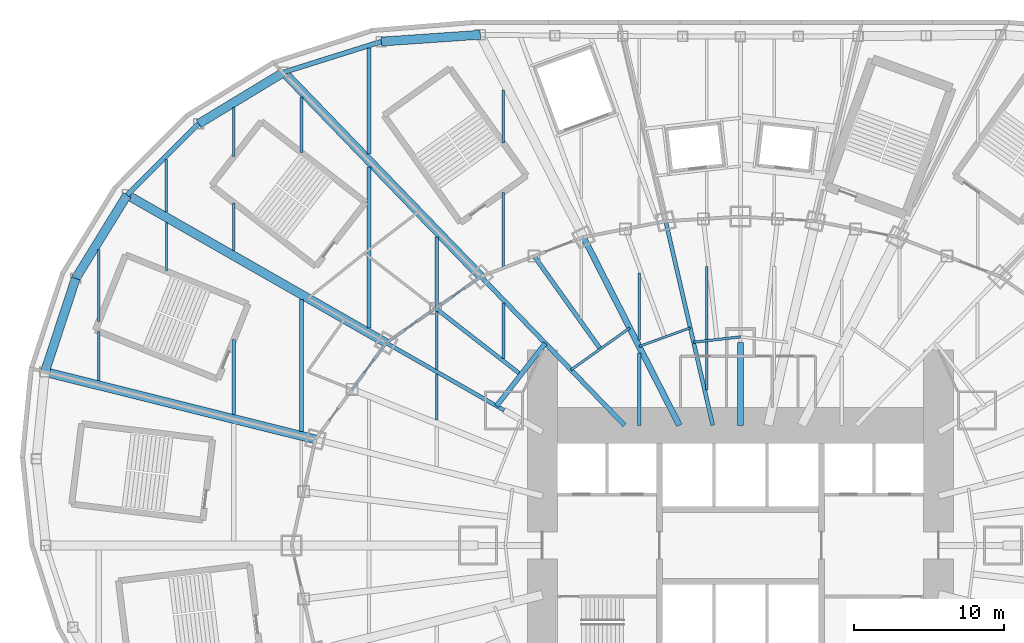
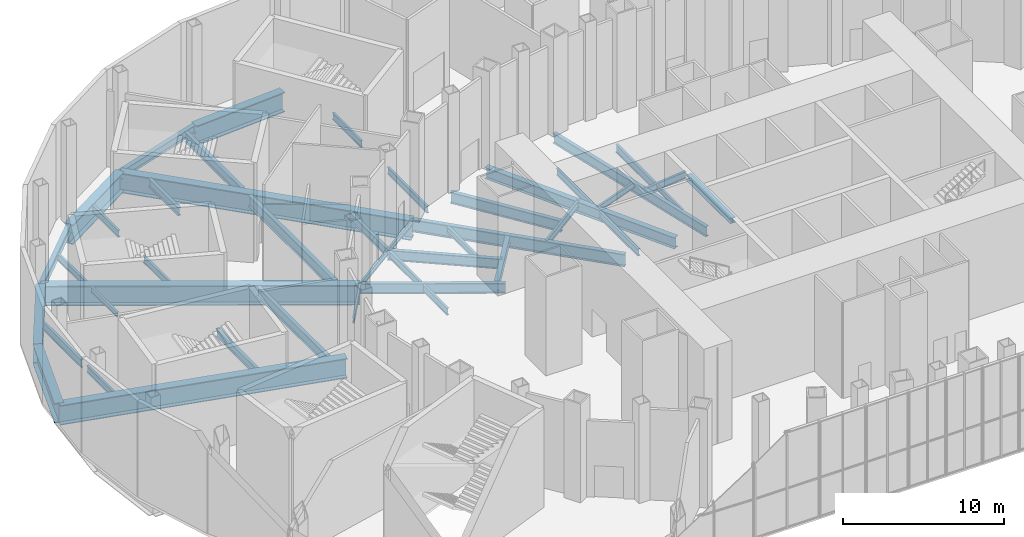
# One storey, part 6 of 73: 44 beams.
"""IFC4 building model written with IfcOpenShell, lengths in metres."""

from ifc_helpers import new_model, si_unit, direction, frame, origin, origin_2d, place, context, subcontext, project, spatial, i_section, extrude, material, material_profile, profile_set, type_object, element, save


model = new_model("IFC4")

# Units and contexts
model_context = context("Model", 3, precision=1e-05, world=origin(), true_north=direction((0.0, 1.0)))
body_context = subcontext(model_context, "Body", "Model", "MODEL_VIEW")
ifc_project = project(units=[si_unit("LENGTHUNIT", "METRE"), si_unit("AREAUNIT", "SQUARE_METRE"), si_unit("VOLUMEUNIT", "CUBIC_METRE"), si_unit("PLANEANGLEUNIT", "RADIAN"), si_unit("MASSUNIT", "GRAM", prefix="KILO")], contexts=[model_context])

# Site, building, storey
site_placement = place(None, origin())
site = spatial("IfcSite", under=ifc_project, at=site_placement, CompositionType="ELEMENT")
building_placement = place(site_placement, origin())
building = spatial("IfcBuilding", under=site, at=building_placement, Name="Lantaw Convention Tower", CompositionType="ELEMENT")
storey_placement = place(building_placement, frame((0.0, 0.0, 14.5)))
storey = spatial("IfcBuildingStorey", under=building, at=storey_placement, Name="L02", CompositionType="ELEMENT", Elevation=14.5)

# Beams
ifc_material_1 = material(Name="Steel ASTM A572 Grade 50", Category="steel")
ifc_material_profile_1 = material_profile(ifc_material_1, i_section(OverallWidth=0.60009765625, OverallDepth=1.5, WebThickness=0.02490234375, FlangeThickness=0.06005859375, at=origin_2d()), Name="PG1500X600X25X60")
ifc_profile_set_1 = profile_set([ifc_material_profile_1], Name="Steel ASTM A572 Grade 50")
beam_type_1 = type_object("IfcBeamType", Name="Beam E PG1500X600X25X60", PredefinedType="SPANDREL", material=ifc_profile_set_1)
beam_1_placement = place(storey_placement, frame((-17.333984375, 34.019775390625, -0.949951171875), z_axis=(-0.997615470709, -0.069017190627, 0.0), x_axis=(0.069017190627, -0.997615470709, 0.0)))
element("IfcBeam", 1, at=beam_1_placement, inside=storey, type_object=beam_type_1, Name="Podium edge beam R08", PredefinedType="SPANDREL", context=body_context, shape_type="SweptSolid", body=[
    extrude(i_section(OverallWidth=0.60009765625, OverallDepth=1.5, WebThickness=0.02490234375, FlangeThickness=0.06005859375, at=origin_2d()), origin(), (0.0, 0.0, 1.0), 6.6220703125),
])
beam_2_placement = place(storey_placement, frame((-30.43603515625, 31.517578125, -0.949951171875), z_axis=(-0.855269526547, -0.518183400893, 0.0), x_axis=(0.518183400893, -0.855269526547, 0.0)))
element("IfcBeam", 2, at=beam_2_placement, inside=storey, type_object=beam_type_1, Name="Podium edge beam R09", PredefinedType="SPANDREL", context=body_context, shape_type="SweptSolid", body=[
    extrude(i_section(OverallWidth=0.60009765625, OverallDepth=1.5, WebThickness=0.02490234375, FlangeThickness=0.06005859375, at=origin_2d()), origin(), (0.0, 0.0, 1.0), 6.63134765625),
])
beam_3_placement = place(storey_placement, frame((-40.864013671875, 23.350830078125, -0.949951171875), z_axis=(-0.524178644867, -0.851608330317, 0.0), x_axis=(0.851608330317, -0.524178644867, 0.0)))
element("IfcBeam", 3, at=beam_3_placement, inside=storey, type_object=beam_type_1, Name="Podium edge beam R10", PredefinedType="SPANDREL", context=body_context, shape_type="SweptSolid", body=[
    extrude(i_section(OverallWidth=0.60009765625, OverallDepth=1.5, WebThickness=0.02490234375, FlangeThickness=0.06005859375, at=origin_2d()), origin(), (0.0, 0.0, 1.0), 6.54052734375),
])
beam_4_placement = place(storey_placement, frame((-44.29248046875, 17.78076171875, -0.949951171875), z_axis=(-0.312739573604, -0.949838912186, 0.0), x_axis=(0.949838912186, -0.312739573604, 0.0)))
element("IfcBeam", 4, at=beam_4_placement, inside=storey, type_object=beam_type_1, Name="Podium edge beam B10", PredefinedType="SPANDREL", context=body_context, shape_type="SweptSolid", body=[
    extrude(i_section(OverallWidth=0.60009765625, OverallDepth=1.5, WebThickness=0.02490234375, FlangeThickness=0.06005859375, at=origin_2d()), origin(), (0.0, 0.0, 1.0), 6.55517578125),
])
ifc_material_2 = material(Name="Steel ASTM A992", Category="steel")
ifc_material_profile_2 = material_profile(ifc_material_2, i_section(OverallWidth=0.140380859375, OverallDepth=0.40380859375, WebThickness=0.007080078125, FlangeThickness=0.01123046875, FilletRadius=0.01025390625, at=origin_2d()), Name="W16X31")
ifc_profile_set_2 = profile_set([ifc_material_profile_2], Name="Steel ASTM A992")
beam_type_2 = type_object("IfcBeamType", Name="Beam E W16X31", PredefinedType="SPANDREL", material=ifc_profile_set_2)
beam_5_placement = place(storey_placement, frame((-17.290771484375, 17.9052734375, -0.40185546875), z_axis=(-0.819409395821, -0.573208724672, 0.0), x_axis=(0.573208724672, -0.819409395821, 0.0)))
element("IfcBeam", 5, at=beam_5_placement, inside=storey, type_object=beam_type_2, Name="Edge beam 10", PredefinedType="SPANDREL", context=body_context, shape_type="SweptSolid", body=[
    extrude(i_section(OverallWidth=0.140380859375, OverallDepth=0.40380859375, WebThickness=0.007080078125, FlangeThickness=0.01123046875, FilletRadius=0.01025390625, at=origin_2d()), origin(), (0.0, 0.0, 1.0), 3.682861328125),
])
beam_6_placement = place(storey_placement, frame((-20.30859375, 15.794189453125, -0.40185546875), z_axis=(-0.819442856133, -0.573160889744, 0.0), x_axis=(0.573160889744, -0.819442856133, 0.0)))
element("IfcBeam", 6, at=beam_6_placement, inside=storey, type_object=beam_type_2, Name="Edge beam 10", PredefinedType="SPANDREL", context=body_context, shape_type="SweptSolid", body=[
    extrude(i_section(OverallWidth=0.140380859375, OverallDepth=0.40380859375, WebThickness=0.007080078125, FlangeThickness=0.01123046875, FilletRadius=0.01025390625, at=origin_2d()), origin(), (0.0, 0.0, 1.0), 4.022705078125),
])
beam_7_placement = place(storey_placement, frame((-23.60498046875, 13.488525390625, -0.40185546875), z_axis=(-0.591286566758, -0.806461527893, 0.0), x_axis=(0.806461527893, -0.591286566758, 0.0)))
element("IfcBeam", 7, at=beam_7_placement, inside=storey, type_object=beam_type_2, Name="Edge beam 11", PredefinedType="SPANDREL", context=body_context, shape_type="SweptSolid", body=[
    extrude(i_section(OverallWidth=0.140380859375, OverallDepth=0.40380859375, WebThickness=0.007080078125, FlangeThickness=0.01123046875, FilletRadius=0.01025390625, at=origin_2d()), origin(), (0.0, 0.0, 1.0), 3.843994140625),
])
ifc_material_profile_3 = material_profile(ifc_material_2, i_section(OverallWidth=0.3251953125, OverallDepth=0.612060546875, WebThickness=0.0126953125, FlangeThickness=0.01904296875, FilletRadius=0.0126953125, at=origin_2d()), Name="W24X104")
ifc_profile_set_3 = profile_set([ifc_material_profile_3], Name="Steel ASTM A992")
beam_type_3 = type_object("IfcBeamType", Name="Beam E W24X104", PredefinedType="SPANDREL", material=ifc_profile_set_3)
beam_8_placement = place(storey_placement, frame((-23.940185546875, 33.562744140625, -0.506103515625), z_axis=(-0.953841834513, -0.300309431643, 0.0), x_axis=(0.300309431643, -0.953841834513, 0.0)))
element("IfcBeam", 8, at=beam_8_placement, inside=storey, type_object=beam_type_3, Name="Podium edge beam B08", PredefinedType="SPANDREL", context=body_context, shape_type="SweptSolid", body=[
    extrude(i_section(OverallWidth=0.3251953125, OverallDepth=0.612060546875, WebThickness=0.0126953125, FlangeThickness=0.01904296875, FilletRadius=0.0126953125, at=origin_2d()), origin(), (0.0, 0.0, 1.0), 6.810302734375),
])
beam_9_placement = place(storey_placement, frame((-36.107666015625, 28.081298828125, -0.506103515625), z_axis=(-0.709033046271, -0.705175254314, 0.0), x_axis=(0.705175254314, -0.709033046271, 0.0)))
element("IfcBeam", 9, at=beam_9_placement, inside=storey, type_object=beam_type_3, Name="Podium edge beam B09", PredefinedType="SPANDREL", context=body_context, shape_type="SweptSolid", body=[
    extrude(i_section(OverallWidth=0.3251953125, OverallDepth=0.612060546875, WebThickness=0.0126953125, FlangeThickness=0.01904296875, FilletRadius=0.0126953125, at=origin_2d()), origin(), (0.0, 0.0, 1.0), 6.708251953125),
])
ifc_material_profile_4 = material_profile(ifc_material_2, i_section(OverallWidth=0.2666015625, OverallDepth=0.76953125, WebThickness=0.015625, FlangeThickness=0.025390625, FilletRadius=0.0126953125, at=origin_2d()), Name="W30X132")
ifc_profile_set_4 = profile_set([ifc_material_profile_4], Name="Steel ASTM A992")
beam_type_4 = type_object("IfcBeamType", Name="Beam G W30X132", PredefinedType="BEAM", material=ifc_profile_set_4)
beam_10_placement = place(storey_placement, frame((-1.846923828125, 8.0, -0.584716796875), z_axis=(-0.224952773175, 0.97436966796, 0.0), x_axis=(-0.97436966796, -0.224952773175, 0.0)))
element("IfcBeam", 10, at=beam_10_placement, inside=storey, type_object=beam_type_4, Name="Floor girder on ray 8", PredefinedType="BEAM", context=body_context, shape_type="SweptSolid", body=[
    extrude(i_section(OverallWidth=0.2666015625, OverallDepth=0.76953125, WebThickness=0.015625, FlangeThickness=0.025390625, FilletRadius=0.0126953125, at=origin_2d()), origin(), (0.0, 0.0, 1.0), 13.955810546875),
])
beam_11_placement = place(storey_placement, frame((-14.628173828125, 11.37646484375, -0.584716796875), z_axis=(-0.789377792374, 0.613907729961, 0.0), x_axis=(-0.613907729961, -0.789377792374, 0.0)))
element("IfcBeam", 11, at=beam_11_placement, inside=storey, type_object=beam_type_4, Name="Floor girder on bisector 10", PredefinedType="BEAM", context=body_context, shape_type="SweptSolid", body=[
    extrude(i_section(OverallWidth=0.2666015625, OverallDepth=0.76953125, WebThickness=0.015625, FlangeThickness=0.025390625, FilletRadius=0.0126953125, at=origin_2d()), origin(), (0.0, 0.0, 1.0), 7.196044921875),
])
beam_12_placement = place(storey_placement, frame((-15.75, 9.0, -0.584716796875), z_axis=(-0.868244802791, 0.496136032179, 0.0), x_axis=(-0.496136032179, -0.868244802791, 0.0)))
element("IfcBeam", 12, at=beam_12_placement, inside=storey, type_object=beam_type_4, Name="Floor girder on ray 11", PredefinedType="BEAM", context=body_context, shape_type="SweptSolid", body=[
    extrude(i_section(OverallWidth=0.2666015625, OverallDepth=0.76953125, WebThickness=0.015625, FlangeThickness=0.025390625, FilletRadius=0.0126953125, at=origin_2d()), origin(), (0.0, 0.0, 1.0), 9.046875),
])
ifc_material_profile_5 = material_profile(ifc_material_2, i_section(OverallWidth=0.2919921875, OverallDepth=0.845703125, WebThickness=0.015380859375, FlangeThickness=0.0244140625, FilletRadius=0.01513671875, at=origin_2d()), Name="W33X141")
ifc_profile_set_5 = profile_set([ifc_material_profile_5], Name="Steel ASTM A992")
beam_type_5 = type_object("IfcBeamType", Name="Beam G W33X141", PredefinedType="BEAM", material=ifc_profile_set_5)
beam_13_placement = place(storey_placement, frame((-9.335693359375, 13.088134765625, -0.622802734375), z_axis=(-0.580702805158, 0.814115625745, 0.0), x_axis=(-0.814115625745, -0.580702805158, 0.0)))
element("IfcBeam", 13, at=beam_13_placement, inside=storey, type_object=beam_type_5, Name="Floor girder on bisector 9", PredefinedType="BEAM", context=body_context, shape_type="SweptSolid", body=[
    extrude(i_section(OverallWidth=0.2919921875, OverallDepth=0.845703125, WebThickness=0.015380859375, FlangeThickness=0.0244140625, FilletRadius=0.01513671875, at=origin_2d()), origin(), (0.0, 0.0, 1.0), 7.59375),
])
ifc_material_profile_6 = material_profile(ifc_material_2, i_section(OverallWidth=0.398681640625, OverallDepth=0.85595703125, WebThickness=0.01806640625, FlangeThickness=0.029296875, FilletRadius=0.016357421875, at=origin_2d()), Name="W33X201")
ifc_profile_set_6 = profile_set([ifc_material_profile_6], Name="Steel ASTM A992")
beam_type_6 = type_object("IfcBeamType", Name="Beam G W33X201", PredefinedType="BEAM", material=ifc_profile_set_6)
beam_14_placement = place(storey_placement, frame((-4.076171875, 8.0, -0.6279296875), z_axis=(-0.453997016122, 0.891003203896, 0.0), x_axis=(-0.891003203896, -0.453997016122, 0.0)))
element("IfcBeam", 14, at=beam_14_placement, inside=storey, type_object=beam_type_6, Name="Floor girder on ray 9", PredefinedType="BEAM", context=body_context, shape_type="SweptSolid", body=[
    extrude(i_section(OverallWidth=0.398681640625, OverallDepth=0.85595703125, WebThickness=0.01806640625, FlangeThickness=0.029296875, FilletRadius=0.016357421875, at=origin_2d()), origin(), (0.0, 0.0, 1.0), 14.067138671875),
])
ifc_material_profile_7 = material_profile(ifc_material_2, i_section(OverallWidth=0.307373046875, OverallDepth=0.9423828125, WebThickness=0.022216796875, FlangeThickness=0.039794921875, FilletRadius=0.0126953125, at=origin_2d()), Name="W36X232")
ifc_profile_set_7 = profile_set([ifc_material_profile_7], Name="Steel ASTM A992")
beam_type_7 = type_object("IfcBeamType", Name="Beam G W36X232", PredefinedType="BEAM", material=ifc_profile_set_7)
beam_15_placement = place(storey_placement, frame((-7.7255859375, 8.0, -0.671142578125), z_axis=(-0.694649884291, 0.719347995239, 0.0), x_axis=(-0.719347995239, -0.694649884291, 0.0)))
element("IfcBeam", 15, at=beam_15_placement, inside=storey, type_object=beam_type_7, Name="Floor girder on ray 10", PredefinedType="BEAM", context=body_context, shape_type="SweptSolid", body=[
    extrude(i_section(OverallWidth=0.307373046875, OverallDepth=0.9423828125, WebThickness=0.022216796875, FlangeThickness=0.039794921875, FilletRadius=0.0126953125, at=origin_2d()), origin(), (0.0, 0.0, 1.0), 13.769775390625),
])
ifc_material_profile_8 = material_profile(ifc_material_2, i_section(OverallWidth=0.40380859375, OverallDepth=0.406494140625, WebThickness=0.027099609375, FlangeThickness=0.043701171875, FilletRadius=0.01513671875, at=origin_2d()), Name="W14X233")
ifc_profile_set_8 = profile_set([ifc_material_profile_8], Name="Steel ASTM A992")
beam_type_8 = type_object("IfcBeamType", Name="Beam GM W14X233", PredefinedType="BEAM", material=ifc_profile_set_8)
beam_16_placement = place(storey_placement, frame((0.0, 8.0, -0.4033203125), z_axis=(0.0, 1.0, 0.0), x_axis=(-1.0, 0.0, 0.0)))
element("IfcBeam", 16, at=beam_16_placement, inside=storey, type_object=beam_type_8, Name="Core link beam on ray 7", PredefinedType="BEAM", context=body_context, shape_type="SweptSolid", body=[
    extrude(i_section(OverallWidth=0.40380859375, OverallDepth=0.406494140625, WebThickness=0.027099609375, FlangeThickness=0.043701171875, FilletRadius=0.01513671875, at=origin_2d()), origin(), (0.0, 0.0, 1.0), 5.5),
])
ifc_material_profile_9 = material_profile(ifc_material_2, i_section(OverallWidth=0.15234375, OverallDepth=0.449462890625, WebThickness=0.007568359375, FlangeThickness=0.0107421875, FilletRadius=0.01025390625, at=origin_2d()), Name="W18X35")
ifc_profile_set_9 = profile_set([ifc_material_profile_9], Name="Steel ASTM A992")
beam_type_9 = type_object("IfcBeamType", Name="Beam HC W18X35", PredefinedType="BEAM", material=ifc_profile_set_9)
beam_17_placement = place(storey_placement, frame((-3.345947265625, 14.4931640625, -0.4248046875), z_axis=(-0.939689171859, -0.342029619025, 0.0), x_axis=(0.342029619025, -0.939689171859, 0.0)))
element("IfcBeam", 17, at=beam_17_placement, inside=storey, type_object=beam_type_9, Name="Collar beam on bisector 8", PredefinedType="BEAM", context=body_context, shape_type="SweptSolid", body=[
    extrude(i_section(OverallWidth=0.15234375, OverallDepth=0.449462890625, WebThickness=0.007568359375, FlangeThickness=0.0107421875, FilletRadius=0.01025390625, at=origin_2d()), origin(), (0.0, 0.0, 1.0), 3.62548828125),
])
ifc_material_profile_10 = material_profile(ifc_material_2, i_section(OverallWidth=0.1650390625, OverallDepth=0.52587890625, WebThickness=0.0087890625, FlangeThickness=0.011474609375, FilletRadius=0.0126953125, at=origin_2d()), Name="W21X44")
ifc_profile_set_10 = profile_set([ifc_material_profile_10], Name="Steel ASTM A992")
beam_type_10 = type_object("IfcBeamType", Name="Beam HC W21X44", PredefinedType="BEAM", material=ifc_profile_set_10)
beam_18_placement = place(storey_placement, frame((-7.379638671875, 14.4833984375, -0.462890625), z_axis=(-0.814110909588, -0.580709416912, 0.0), x_axis=(0.580709416912, -0.814110909588, 0.0)))
element("IfcBeam", 18, at=beam_18_placement, inside=storey, type_object=beam_type_10, Name="Collar beam on bisector 9", PredefinedType="BEAM", context=body_context, shape_type="SweptSolid", body=[
    extrude(i_section(OverallWidth=0.1650390625, OverallDepth=0.52587890625, WebThickness=0.0087890625, FlangeThickness=0.011474609375, FilletRadius=0.0126953125, at=origin_2d()), origin(), (0.0, 0.0, 1.0), 4.805419921875),
])
ifc_material_profile_11 = material_profile(ifc_material_2, i_section(OverallWidth=0.165771484375, OverallDepth=0.5283203125, WebThickness=0.009765625, FlangeThickness=0.013671875, FilletRadius=0.012939453125, at=origin_2d()), Name="W21X50")
ifc_profile_set_11 = profile_set([ifc_material_profile_11], Name="Steel ASTM A992")
beam_type_11 = type_object("IfcBeamType", Name="Beam HC W21X50", PredefinedType="BEAM", material=ifc_profile_set_11)
beam_19_placement = place(storey_placement, frame((0.0, 13.89111328125, -0.464111328125), z_axis=(-0.99356540907, -0.113259780595, 0.0), x_axis=(0.113259780595, -0.99356540907, 0.0)))
element("IfcBeam", 19, at=beam_19_placement, inside=storey, type_object=beam_type_11, Name="Collar beam on bisector 7", PredefinedType="BEAM", context=body_context, shape_type="SweptSolid", body=[
    extrude(i_section(OverallWidth=0.165771484375, OverallDepth=0.5283203125, WebThickness=0.009765625, FlangeThickness=0.013671875, FilletRadius=0.012939453125, at=origin_2d()), origin(), (0.0, 0.0, 1.0), 3.14501953125),
])
ifc_material_profile_12 = material_profile(ifc_material_2, i_section(OverallWidth=0.3251953125, OverallDepth=0.612060546875, WebThickness=0.0126953125, FlangeThickness=0.01904296875, FilletRadius=0.0126953125, at=origin_2d()), Name="W24X104")
ifc_profile_set_12 = profile_set([ifc_material_profile_12], Name="Steel ASTM A992")
beam_type_12 = type_object("IfcBeamType", Name="Beam HC W24X104", PredefinedType="BEAM", material=ifc_profile_set_12)
beam_20_placement = place(storey_placement, frame((-13.00341796875, 13.465576171875, -0.506103515625), z_axis=(-0.613915067401, -0.789372085913, 0.0), x_axis=(0.789372085913, -0.613915067401, 0.0)))
element("IfcBeam", 20, at=beam_20_placement, inside=storey, type_object=beam_type_12, Name="Collar beam on bisector 10", PredefinedType="BEAM", context=body_context, shape_type="SweptSolid", body=[
    extrude(i_section(OverallWidth=0.3251953125, OverallDepth=0.612060546875, WebThickness=0.0126953125, FlangeThickness=0.01904296875, FilletRadius=0.0126953125, at=origin_2d()), origin(), (0.0, 0.0, 1.0), 5.293212890625),
])
ifc_material_profile_13 = material_profile(ifc_material_2, i_section(OverallWidth=0.140380859375, OverallDepth=0.40380859375, WebThickness=0.007080078125, FlangeThickness=0.01123046875, FilletRadius=0.01025390625, at=origin_2d()), Name="W16X31")
ifc_profile_set_13 = profile_set([ifc_material_profile_13], Name="Steel ASTM A992")
beam_type_13 = type_object("IfcBeamType", Name="Beam J W16X31", PredefinedType="JOIST", material=ifc_profile_set_13)
beam_21_placement = place(storey_placement, frame((-38.25, 18.264404296875, -0.40185546875), z_axis=(0.0, 1.0, 0.0), x_axis=(-1.0, 0.0, 0.0)))
element("IfcBeam", 21, at=beam_21_placement, inside=storey, type_object=beam_type_13, Name="Floor joist", PredefinedType="JOIST", context=body_context, shape_type="SweptSolid", body=[
    extrude(i_section(OverallWidth=0.140380859375, OverallDepth=0.40380859375, WebThickness=0.007080078125, FlangeThickness=0.01123046875, FilletRadius=0.01025390625, at=origin_2d()), origin(), (0.0, 0.0, 1.0), 3.247314453125),
])
beam_22_placement = place(storey_placement, frame((-2.25, 10.338623046875, -0.40185546875), z_axis=(0.0, 1.0, 0.0), x_axis=(-1.0, 0.0, 0.0)))
element("IfcBeam", 22, at=beam_22_placement, inside=storey, type_object=beam_type_13, Name="Floor joist", PredefinedType="JOIST", context=body_context, shape_type="SweptSolid", body=[
    extrude(i_section(OverallWidth=0.140380859375, OverallDepth=0.40380859375, WebThickness=0.007080078125, FlangeThickness=0.01123046875, FilletRadius=0.01025390625, at=origin_2d()), origin(), (0.0, 0.0, 1.0), 3.212646484375),
])
ifc_material_profile_14 = material_profile(ifc_material_2, i_section(OverallWidth=0.1904296875, OverallDepth=0.457275390625, WebThickness=0.009033203125, FlangeThickness=0.014404296875, FilletRadius=0.01025390625, at=origin_2d()), Name="W18X50")
ifc_profile_set_14 = profile_set([ifc_material_profile_14], Name="Steel ASTM A992")
beam_type_14 = type_object("IfcBeamType", Name="Beam J W18X50", PredefinedType="JOIST", material=ifc_profile_set_14)
beam_23_placement = place(storey_placement, frame((-15.800048828125, 12.456787109375, -0.4287109375), z_axis=(0.0, 1.0, 0.0), x_axis=(-1.0, 0.0, 0.0)))
element("IfcBeam", 23, at=beam_23_placement, inside=storey, type_object=beam_type_14, Name="Floor joist", PredefinedType="JOIST", context=body_context, shape_type="SweptSolid", body=[
    extrude(i_section(OverallWidth=0.1904296875, OverallDepth=0.457275390625, WebThickness=0.009033203125, FlangeThickness=0.014404296875, FilletRadius=0.01025390625, at=origin_2d()), origin(), (0.0, 0.0, 1.0), 3.683349609375),
])
ifc_material_profile_15 = material_profile(ifc_material_2, i_section(OverallWidth=0.1650390625, OverallDepth=0.52587890625, WebThickness=0.0087890625, FlangeThickness=0.011474609375, FilletRadius=0.0126953125, at=origin_2d()), Name="W21X44")
ifc_profile_set_15 = profile_set([ifc_material_profile_15], Name="Steel ASTM A992")
beam_type_15 = type_object("IfcBeamType", Name="Beam J W21X44", PredefinedType="JOIST", material=ifc_profile_set_15)
beam_24_placement = place(storey_placement, frame((-42.75, 10.968017578125, -0.462890625), z_axis=(0.0, 1.0, 0.0), x_axis=(-1.0, 0.0, 0.0)))
element("IfcBeam", 24, at=beam_24_placement, inside=storey, type_object=beam_type_15, Name="Floor joist", PredefinedType="JOIST", context=body_context, shape_type="SweptSolid", body=[
    extrude(i_section(OverallWidth=0.1650390625, OverallDepth=0.52587890625, WebThickness=0.0087890625, FlangeThickness=0.011474609375, FilletRadius=0.0126953125, at=origin_2d()), origin(), (0.0, 0.0, 1.0), 3.2841796875),
])
beam_25_placement = place(storey_placement, frame((-38.25, 22.20263671875, -0.462890625), z_axis=(0.0, 1.0, 0.0), x_axis=(-1.0, 0.0, 0.0)))
element("IfcBeam", 25, at=beam_25_placement, inside=storey, type_object=beam_type_15, Name="Floor joist", PredefinedType="JOIST", context=body_context, shape_type="SweptSolid", body=[
    extrude(i_section(OverallWidth=0.1650390625, OverallDepth=0.52587890625, WebThickness=0.0087890625, FlangeThickness=0.011474609375, FilletRadius=0.0126953125, at=origin_2d()), origin(), (0.0, 0.0, 1.0), 3.518798828125),
])
beam_26_placement = place(storey_placement, frame((-33.75, 19.63134765625, -0.462890625), z_axis=(0.0, 1.0, 0.0), x_axis=(-1.0, 0.0, 0.0)))
element("IfcBeam", 26, at=beam_26_placement, inside=storey, type_object=beam_type_15, Name="Floor joist", PredefinedType="JOIST", context=body_context, shape_type="SweptSolid", body=[
    extrude(i_section(OverallWidth=0.1650390625, OverallDepth=0.52587890625, WebThickness=0.0087890625, FlangeThickness=0.011474609375, FilletRadius=0.0126953125, at=origin_2d()), origin(), (0.0, 0.0, 1.0), 3.19580078125),
])
beam_27_placement = place(storey_placement, frame((-33.75, 25.900390625, -0.462890625), z_axis=(0.0, 1.0, 0.0), x_axis=(-1.0, 0.0, 0.0)))
element("IfcBeam", 27, at=beam_27_placement, inside=storey, type_object=beam_type_15, Name="Floor joist", PredefinedType="JOIST", context=body_context, shape_type="SweptSolid", body=[
    extrude(i_section(OverallWidth=0.1650390625, OverallDepth=0.52587890625, WebThickness=0.0087890625, FlangeThickness=0.011474609375, FilletRadius=0.0126953125, at=origin_2d()), origin(), (0.0, 0.0, 1.0), 3.258544921875),
])
beam_28_placement = place(storey_placement, frame((-20.25, 8.3564453125, -0.462890625), z_axis=(0.0, 1.0, 0.0), x_axis=(-1.0, 0.0, 0.0)))
element("IfcBeam", 28, at=beam_28_placement, inside=storey, type_object=beam_type_15, Name="Floor joist", PredefinedType="JOIST", context=body_context, shape_type="SweptSolid", body=[
    extrude(i_section(OverallWidth=0.1650390625, OverallDepth=0.52587890625, WebThickness=0.0087890625, FlangeThickness=0.011474609375, FilletRadius=0.0126953125, at=origin_2d()), origin(), (0.0, 0.0, 1.0), 3.0615234375),
])
beam_29_placement = place(storey_placement, frame((-6.75, 13.693359375, -0.462890625), z_axis=(0.0, 1.0, 0.0), x_axis=(-1.0, 0.0, 0.0)))
element("IfcBeam", 29, at=beam_29_placement, inside=storey, type_object=beam_type_15, Name="Floor joist", PredefinedType="JOIST", context=body_context, shape_type="SweptSolid", body=[
    extrude(i_section(OverallWidth=0.1650390625, OverallDepth=0.52587890625, WebThickness=0.0087890625, FlangeThickness=0.011474609375, FilletRadius=0.0126953125, at=origin_2d()), origin(), (0.0, 0.0, 1.0), 4.462158203125),
])
ifc_material_profile_16 = material_profile(ifc_material_2, i_section(OverallWidth=0.165771484375, OverallDepth=0.5283203125, WebThickness=0.009765625, FlangeThickness=0.013671875, FilletRadius=0.012939453125, at=origin_2d()), Name="W21X50")
ifc_profile_set_16 = profile_set([ifc_material_profile_16], Name="Steel ASTM A992")
beam_type_16 = type_object("IfcBeamType", Name="Beam J W21X50", PredefinedType="JOIST", material=ifc_profile_set_16)
beam_30_placement = place(storey_placement, frame((-15.800048828125, 18.567626953125, -0.464111328125), z_axis=(0.0, 1.0, 0.0), x_axis=(-1.0, 0.0, 0.0)))
element("IfcBeam", 30, at=beam_30_placement, inside=storey, type_object=beam_type_16, Name="Floor joist", PredefinedType="JOIST", context=body_context, shape_type="SweptSolid", body=[
    extrude(i_section(OverallWidth=0.165771484375, OverallDepth=0.5283203125, WebThickness=0.009765625, FlangeThickness=0.013671875, FilletRadius=0.012939453125, at=origin_2d()), origin(), (0.0, 0.0, 1.0), 4.9560546875),
])
beam_31_placement = place(storey_placement, frame((-15.800048828125, 26.80029296875, -0.464111328125), z_axis=(0.0, 1.0, 0.0), x_axis=(-1.0, 0.0, 0.0)))
element("IfcBeam", 31, at=beam_31_placement, inside=storey, type_object=beam_type_16, Name="Floor joist", PredefinedType="JOIST", context=body_context, shape_type="SweptSolid", body=[
    extrude(i_section(OverallWidth=0.165771484375, OverallDepth=0.5283203125, WebThickness=0.009765625, FlangeThickness=0.013671875, FilletRadius=0.012939453125, at=origin_2d()), origin(), (0.0, 0.0, 1.0), 3.548095703125),
])
ifc_material_profile_17 = material_profile(ifc_material_2, i_section(OverallWidth=0.16650390625, OverallDepth=0.535888671875, WebThickness=0.01025390625, FlangeThickness=0.0166015625, FilletRadius=0.0126953125, at=origin_2d()), Name="W21X57")
ifc_profile_set_17 = profile_set([ifc_material_profile_17], Name="Steel ASTM A992")
beam_type_17 = type_object("IfcBeamType", Name="Beam J W21X57", PredefinedType="JOIST", material=ifc_profile_set_17)
beam_32_placement = place(storey_placement, frame((-20.25, 11.72509765625, -0.468017578125), z_axis=(0.0, 1.0, 0.0), x_axis=(-1.0, 0.0, 0.0)))
element("IfcBeam", 32, at=beam_32_placement, inside=storey, type_object=beam_type_17, Name="Floor joist", PredefinedType="JOIST", context=body_context, shape_type="SweptSolid", body=[
    extrude(i_section(OverallWidth=0.16650390625, OverallDepth=0.535888671875, WebThickness=0.01025390625, FlangeThickness=0.0166015625, FilletRadius=0.0126953125, at=origin_2d()), origin(), (0.0, 0.0, 1.0), 3.8544921875),
])
ifc_material_profile_18 = material_profile(ifc_material_2, i_section(OverallWidth=0.2099609375, OverallDepth=0.535888671875, WebThickness=0.010986328125, FlangeThickness=0.017333984375, FilletRadius=0.012939453125, at=origin_2d()), Name="W21X68")
ifc_profile_set_18 = profile_set([ifc_material_profile_18], Name="Steel ASTM A992")
beam_type_18 = type_object("IfcBeamType", Name="Beam J W21X68", PredefinedType="JOIST", material=ifc_profile_set_18)
beam_33_placement = place(storey_placement, frame((-6.75, 8.0, -0.468017578125), z_axis=(0.0, 1.0, 0.0), x_axis=(-1.0, 0.0, 0.0)))
element("IfcBeam", 33, at=beam_33_placement, inside=storey, type_object=beam_type_18, Name="Floor joist", PredefinedType="JOIST", context=body_context, shape_type="SweptSolid", body=[
    extrude(i_section(OverallWidth=0.2099609375, OverallDepth=0.535888671875, WebThickness=0.010986328125, FlangeThickness=0.017333984375, FilletRadius=0.012939453125, at=origin_2d()), origin(), (0.0, 0.0, 1.0), 4.808349609375),
])
ifc_material_profile_19 = material_profile(ifc_material_2, i_section(OverallWidth=0.177978515625, OverallDepth=0.599365234375, WebThickness=0.010009765625, FlangeThickness=0.012939453125, FilletRadius=0.012939453125, at=origin_2d()), Name="W24X55")
ifc_profile_set_19 = profile_set([ifc_material_profile_19], Name="Steel ASTM A992")
beam_type_19 = type_object("IfcBeamType", Name="Beam J W24X55", PredefinedType="JOIST", material=ifc_profile_set_19)
beam_34_placement = place(storey_placement, frame((-42.75, 14.91259765625, -0.499755859375), z_axis=(0.0, 1.0, 0.0), x_axis=(-1.0, 0.0, 0.0)))
element("IfcBeam", 34, at=beam_34_placement, inside=storey, type_object=beam_type_19, Name="Floor joist", PredefinedType="JOIST", context=body_context, shape_type="SweptSolid", body=[
    extrude(i_section(OverallWidth=0.177978515625, OverallDepth=0.599365234375, WebThickness=0.010009765625, FlangeThickness=0.012939453125, FilletRadius=0.012939453125, at=origin_2d()), origin(), (0.0, 0.0, 1.0), 4.8017578125),
])
beam_35_placement = place(storey_placement, frame((-2.25, 13.71826171875, -0.499755859375), z_axis=(0.0, 1.0, 0.0), x_axis=(-1.0, 0.0, 0.0)))
element("IfcBeam", 35, at=beam_35_placement, inside=storey, type_object=beam_type_19, Name="Floor joist", PredefinedType="JOIST", context=body_context, shape_type="SweptSolid", body=[
    extrude(i_section(OverallWidth=0.177978515625, OverallDepth=0.599365234375, WebThickness=0.010009765625, FlangeThickness=0.012939453125, FilletRadius=0.012939453125, at=origin_2d()), origin(), (0.0, 0.0, 1.0), 4.851806640625),
])
ifc_material_profile_20 = material_profile(ifc_material_2, i_section(OverallWidth=0.22900390625, OverallDepth=0.612060546875, WebThickness=0.011962890625, FlangeThickness=0.01953125, FilletRadius=0.0126953125, at=origin_2d()), Name="W24X84")
ifc_profile_set_20 = profile_set([ifc_material_profile_20], Name="Steel ASTM A992")
beam_type_20 = type_object("IfcBeamType", Name="Beam J W24X84", PredefinedType="JOIST", material=ifc_profile_set_20)
beam_36_placement = place(storey_placement, frame((-33.75, 8.72412109375, -0.506103515625), z_axis=(0.0, 1.0, 0.0), x_axis=(-1.0, 0.0, 0.0)))
element("IfcBeam", 36, at=beam_36_placement, inside=storey, type_object=beam_type_20, Name="Floor joist", PredefinedType="JOIST", context=body_context, shape_type="SweptSolid", body=[
    extrude(i_section(OverallWidth=0.22900390625, OverallDepth=0.612060546875, WebThickness=0.011962890625, FlangeThickness=0.01953125, FilletRadius=0.0126953125, at=origin_2d()), origin(), (0.0, 0.0, 1.0), 4.986328125),
])
beam_37_placement = place(storey_placement, frame((-29.25, 26.16845703125, -0.506103515625), z_axis=(0.0, 1.0, 0.0), x_axis=(-1.0, 0.0, 0.0)))
element("IfcBeam", 37, at=beam_37_placement, inside=storey, type_object=beam_type_20, Name="Floor joist", PredefinedType="JOIST", context=body_context, shape_type="SweptSolid", body=[
    extrude(i_section(OverallWidth=0.22900390625, OverallDepth=0.612060546875, WebThickness=0.011962890625, FlangeThickness=0.01953125, FilletRadius=0.0126953125, at=origin_2d()), origin(), (0.0, 0.0, 1.0), 3.68896484375),
])
beam_38_placement = place(storey_placement, frame((-20.25, 15.9208984375, -0.506103515625), z_axis=(0.0, 1.0, 0.0), x_axis=(-1.0, 0.0, 0.0)))
element("IfcBeam", 38, at=beam_38_placement, inside=storey, type_object=beam_type_20, Name="Floor joist", PredefinedType="JOIST", context=body_context, shape_type="SweptSolid", body=[
    extrude(i_section(OverallWidth=0.22900390625, OverallDepth=0.612060546875, WebThickness=0.011962890625, FlangeThickness=0.01953125, FilletRadius=0.0126953125, at=origin_2d()), origin(), (0.0, 0.0, 1.0), 4.61669921875),
])
ifc_material_profile_21 = material_profile(ifc_material_2, i_section(OverallWidth=0.2666015625, OverallDepth=0.7568359375, WebThickness=0.013916015625, FlangeThickness=0.019287109375, FilletRadius=0.0126953125, at=origin_2d()), Name="W30X108")
ifc_profile_set_21 = profile_set([ifc_material_profile_21], Name="Steel ASTM A992")
beam_type_21 = type_object("IfcBeamType", Name="Beam J W30X108", PredefinedType="JOIST", material=ifc_profile_set_21)
beam_39_placement = place(storey_placement, frame((-29.25, 7.60205078125, -0.578369140625), z_axis=(0.0, 1.0, 0.0), x_axis=(-1.0, 0.0, 0.0)))
element("IfcBeam", 39, at=beam_39_placement, inside=storey, type_object=beam_type_21, Name="Floor joist", PredefinedType="JOIST", context=body_context, shape_type="SweptSolid", body=[
    extrude(i_section(OverallWidth=0.2666015625, OverallDepth=0.7568359375, WebThickness=0.013916015625, FlangeThickness=0.019287109375, FilletRadius=0.0126953125, at=origin_2d()), origin(), (0.0, 0.0, 1.0), 8.7666015625),
])
beam_40_placement = place(storey_placement, frame((-24.75, 26.061279296875, -0.578369140625), z_axis=(0.0, 1.0, 0.0), x_axis=(-1.0, 0.0, 0.0)))
element("IfcBeam", 40, at=beam_40_placement, inside=storey, type_object=beam_type_21, Name="Floor joist", PredefinedType="JOIST", context=body_context, shape_type="SweptSolid", body=[
    extrude(i_section(OverallWidth=0.2666015625, OverallDepth=0.7568359375, WebThickness=0.013916015625, FlangeThickness=0.019287109375, FilletRadius=0.0126953125, at=origin_2d()), origin(), (0.0, 0.0, 1.0), 7.076171875),
])
ifc_material_profile_22 = material_profile(ifc_material_2, i_section(OverallWidth=0.2919921875, OverallDepth=0.845703125, WebThickness=0.015380859375, FlangeThickness=0.0244140625, FilletRadius=0.01513671875, at=origin_2d()), Name="W33X141")
ifc_profile_set_22 = profile_set([ifc_material_profile_22], Name="Steel ASTM A992")
beam_type_22 = type_object("IfcBeamType", Name="Beam J W33X141", PredefinedType="JOIST", material=ifc_profile_set_22)
beam_41_placement = place(storey_placement, frame((-24.75, 14.48828125, -0.622802734375), z_axis=(0.0, 1.0, 0.0), x_axis=(-1.0, 0.0, 0.0)))
element("IfcBeam", 41, at=beam_41_placement, inside=storey, type_object=beam_type_22, Name="Floor joist", PredefinedType="JOIST", context=body_context, shape_type="SweptSolid", body=[
    extrude(i_section(OverallWidth=0.2919921875, OverallDepth=0.845703125, WebThickness=0.015380859375, FlangeThickness=0.0244140625, FilletRadius=0.01513671875, at=origin_2d()), origin(), (0.0, 0.0, 1.0), 10.709228515625),
])
ifc_material_profile_23 = material_profile(ifc_material_1, i_section(OverallWidth=0.60009765625, OverallDepth=1.5, WebThickness=0.02490234375, FlangeThickness=0.06005859375, at=origin_2d()), Name="PG1500X600X25X60")
ifc_profile_set_23 = profile_set([ifc_material_profile_23], Name="Steel ASTM A572 Grade 50")
beam_type_23 = type_object("IfcBeamType", Name="Beam PG PG1500X600X25X60", PredefinedType="BEAM", material=ifc_profile_set_23)
beam_42_placement = place(storey_placement, frame((-17.290771484375, 17.9052734375, -0.949951171875), z_axis=(-0.694658748795, 0.719339434984, 0.0), x_axis=(-0.719339434984, -0.694658748795, 0.0)))
element("IfcBeam", 42, at=beam_42_placement, inside=storey, type_object=beam_type_23, Name="Podium girder PR10", PredefinedType="BEAM", context=body_context, shape_type="SweptSolid", body=[
    extrude(i_section(OverallWidth=0.60009765625, OverallDepth=1.5, WebThickness=0.02490234375, FlangeThickness=0.06005859375, at=origin_2d()), origin(), (0.0, 0.0, 1.0), 18.92333984375),
])
beam_43_placement = place(storey_placement, frame((-23.60498046875, 13.488525390625, -0.949951171875), z_axis=(-0.868243142124, 0.496138938357, 0.0), x_axis=(-0.496138938357, -0.868243142124, 0.0)))
element("IfcBeam", 43, at=beam_43_placement, inside=storey, type_object=beam_type_23, Name="Podium girder PR11", PredefinedType="BEAM", context=body_context, shape_type="SweptSolid", body=[
    extrude(i_section(OverallWidth=0.60009765625, OverallDepth=1.5, WebThickness=0.02490234375, FlangeThickness=0.06005859375, at=origin_2d()), origin(), (0.0, 0.0, 1.0), 19.878173828125),
])
beam_44_placement = place(storey_placement, frame((-28.31787109375, 7.060302734375, -0.949951171875), z_axis=(-0.970294606785, 0.24192638559, 0.0), x_axis=(-0.24192638559, -0.970294606785, 0.0)))
element("IfcBeam", 44, at=beam_44_placement, inside=storey, type_object=beam_type_23, Name="Podium girder PR12", PredefinedType="BEAM", context=body_context, shape_type="SweptSolid", body=[
    extrude(i_section(OverallWidth=0.60009765625, OverallDepth=1.5, WebThickness=0.02490234375, FlangeThickness=0.06005859375, at=origin_2d()), origin(), (0.0, 0.0, 1.0), 18.576416015625),
])

save(model, "model.ifc")
